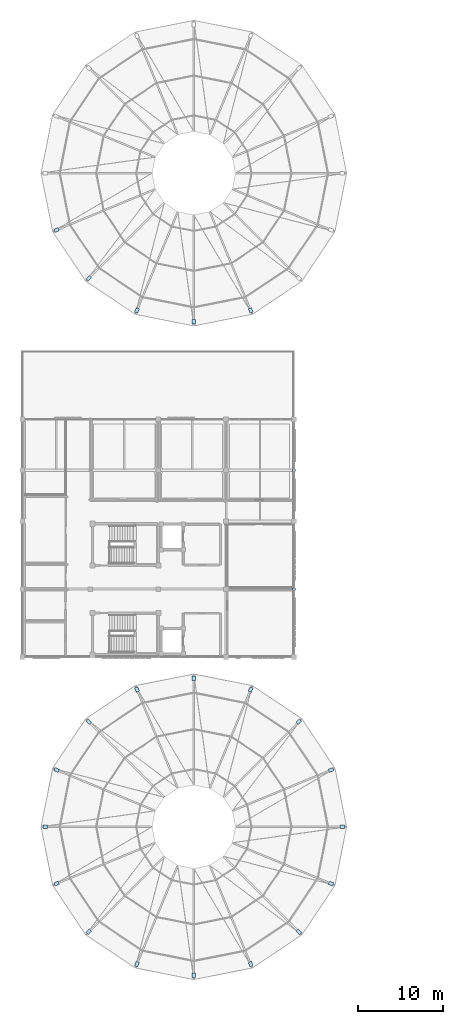
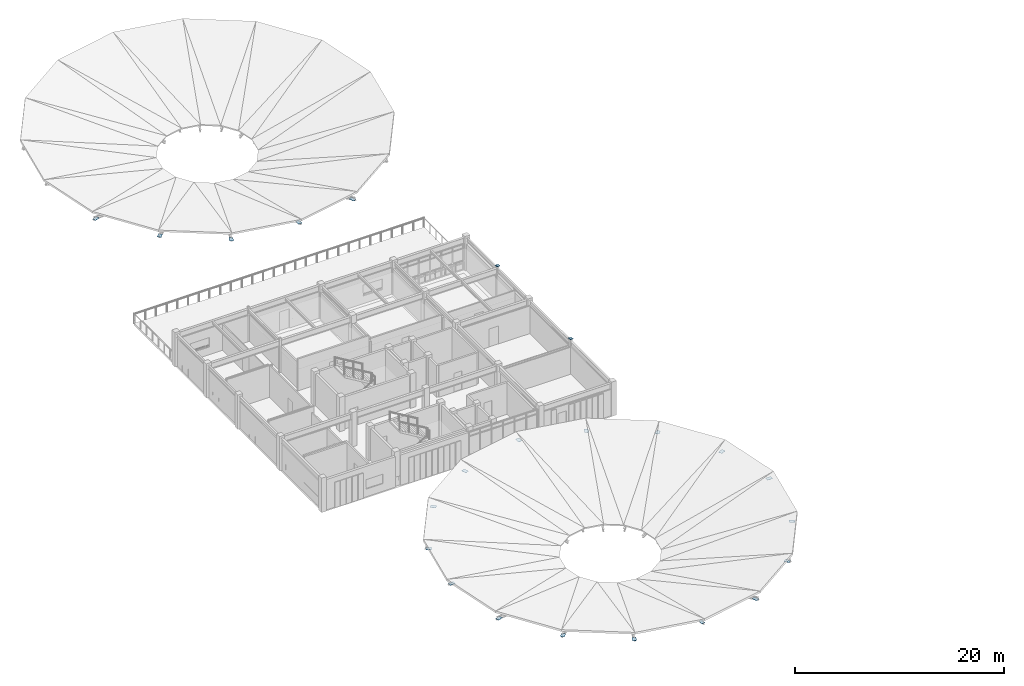
# One storey, part 23 of 31: 23 plates.
"""IFC4 building model written with IfcOpenShell, lengths in metres."""

from ifc_helpers import new_model, si_unit, direction, frame, origin, origin_2d, place, context, subcontext, project, spatial, rectangle, extrude, material, layer, layer_set, type_object, element, save


model = new_model("IFC4")

# Units and contexts
model_context = context("Model", 3, precision=1e-05, world=origin(), true_north=direction((0.0, 1.0)))
body_context = subcontext(model_context, "Body", "Model", "MODEL_VIEW")
ifc_project = project(units=[si_unit("LENGTHUNIT", "METRE"), si_unit("AREAUNIT", "SQUARE_METRE"), si_unit("VOLUMEUNIT", "CUBIC_METRE"), si_unit("PLANEANGLEUNIT", "RADIAN"), si_unit("MASSUNIT", "GRAM", prefix="KILO")], contexts=[model_context])

# Site, building, storey
site_placement = place(None, origin())
site = spatial("IfcSite", under=ifc_project, at=site_placement, CompositionType="ELEMENT")
building_placement = place(site_placement, origin())
building = spatial("IfcBuilding", under=site, at=building_placement, Name="Celadon Cloister-Ring School", CompositionType="ELEMENT")
storey_placement = place(building_placement, frame((0.0, 0.0, 16.5)))
storey = spatial("IfcBuildingStorey", under=building, at=storey_placement, Name="L04", CompositionType="ELEMENT", Elevation=16.5)

# Plates
ifc_material_1 = material(Name="Structural steel S355JR", Category="steel")
ifc_layer_1 = layer(ifc_material_1, 0.01611328125)
ifc_layer_set_1 = layer_set([ifc_layer_1], Name="Structural steel S355JR")
plate_type_1 = type_object("IfcPlateType", Name="PT-03", PredefinedType="SHEET", material=ifc_layer_set_1)
for number, where, z_axis, x_axis, name in (
    (1, (4.031982421875, 90.302978515625, 2.10791015625), (0.0, 0.0, 1.0), (-0.923879532511, -0.382683432365, 0.0), "Gusset Plate 0062"),
    (2, (7.825927734375, 84.6259765625, 2.243896484375), (0.0, 0.0, 1.0), (-0.707106781187, -0.707106781187, 0.0), "Gusset Plate 0063"),
    (3, (13.5029296875, 80.83203125, 2.10791015625), (0.0, 0.0, 1.0), (-0.382683432365, -0.923879532511, 0.0), "Gusset Plate 0064"),
    (4, (20.199951171875, 79.5, 2.571044921875), (0.0, 0.0, 1.0), (0.0, -1.0, 0.0), "Gusset Plate 0065"),
    (5, (26.89697265625, 80.83203125, 2.10791015625), (0.0, 0.0, 1.0), (0.382683432365, -0.923879532511, 0.0), "Gusset Plate 0066"),
    (6, (37.699951171875, 20.0, 2.64892578125), (0.0, 0.0, 1.0), (1.0, 0.0, 0.0), "Gusset Plate 0069"),
    (7, (36.367919921875, 26.697021484375, 2.18701171875), (0.0, 0.0, 1.0), (0.923879532511, 0.382683432365, 0.0), "Gusset Plate 0070"),
    (8, (32.573974609375, 32.3740234375, 2.322021484375), (0.0, 0.0, 1.0), (0.707106781187, 0.707106781187, 0.0), "Gusset Plate 0071"),
    (9, (26.89697265625, 36.16796875, 2.18603515625), (0.0, 0.0, 1.0), (0.382683432365, 0.923879532511, 0.0), "Gusset Plate 0072"),
    (10, (20.199951171875, 37.5, 2.64892578125), (0.0, 0.0, 1.0), (0.0, 1.0, 0.0), "Gusset Plate 0073"),
    (11, (13.5029296875, 36.16796875, 2.18701171875), (0.0, 0.0, 1.0), (-0.382683432365, 0.923879532511, 0.0), "Gusset Plate 0074"),
    (12, (7.825927734375, 32.3740234375, 2.322021484375), (0.0, 0.0, 1.0), (-0.707106781187, 0.707106781187, 0.0), "Gusset Plate 0075"),
    (13, (4.031982421875, 26.697021484375, 2.18701171875), (0.0, 0.0, 1.0), (-0.923879532511, 0.382683432365, 0.0), "Gusset Plate 0076"),
    (14, (2.699951171875, 20.0, 2.64892578125), (0.0, 0.0, 1.0), (-1.0, 0.0, 0.0), "Gusset Plate 0077"),
    (15, (4.031982421875, 13.302978515625, 2.18701171875), (0.0, 0.0, 1.0), (-0.923879532511, -0.382683432365, 0.0), "Gusset Plate 0078"),
    (16, (7.825927734375, 7.6259765625, 2.322021484375), (0.0, 0.0, 1.0), (-0.707106781187, -0.707106781187, 0.0), "Gusset Plate 0079"),
    (17, (13.5029296875, 3.83203125, 2.18603515625), (0.0, 0.0, 1.0), (-0.382683432365, -0.923879532511, 0.0), "Gusset Plate 0080"),
    (18, (20.199951171875, 2.5, 2.64892578125), (0.0, 0.0, 1.0), (0.0, -1.0, 0.0), "Gusset Plate 0081"),
    (19, (26.89697265625, 3.83203125, 2.18701171875), (0.0, 0.0, 1.0), (0.382683432365, -0.923879532511, 0.0), "Gusset Plate 0082"),
    (20, (32.573974609375, 7.6259765625, 2.322021484375), (0.0, 0.0, 1.0), (0.707106781187, -0.707106781187, 0.0), "Gusset Plate 0083"),
    (21, (36.367919921875, 13.302978515625, 2.18603515625), (0.0, 0.0, 1.0), (0.923879532511, -0.382683432365, 0.0), "Gusset Plate 0084"),
):
    element("IfcPlate", number, at=place(storey_placement, frame(where, z_axis=z_axis, x_axis=x_axis)), inside=storey, type_object=plate_type_1, Name=name, PredefinedType="SHEET", context=body_context, shape_type="SweptSolid", body=[
        extrude(rectangle(XDim=0.56005859375, YDim=0.39990234375, at=origin_2d()), origin(), (0.0, 0.0, 1.0), 0.01611328125),
    ])
ifc_material_2 = material(Name="Structural steel S355JR", Category="steel")
ifc_layer_2 = layer(ifc_material_2, 0.02197265625)
ifc_layer_set_2 = layer_set([ifc_layer_2], Name="Structural steel S355JR")
plate_type_2 = type_object("IfcPlateType", Name="PT-05", PredefinedType="SHEET", material=ifc_layer_set_2)
for number, where, z_axis, x_axis, name in (
    (22, (32.0, 48.0, 4.0), (0.0, 0.0, 1.0), (1.0, 0.0, 0.0), "Gusset Plate 0003"),
    (23, (32.0, 62.0, 4.0), (0.0, 0.0, 1.0), (1.0, 0.0, 0.0), "Gusset Plate 0004"),
):
    element("IfcPlate", number, at=place(storey_placement, frame(where, z_axis=z_axis, x_axis=x_axis)), inside=storey, type_object=plate_type_2, Name=name, PredefinedType="SHEET", context=body_context, shape_type="SweptSolid", body=[
        extrude(rectangle(XDim=0.320068359375, YDim=0.320068359375, at=origin_2d()), origin(), (0.0, 0.0, 1.0), 0.02197265625),
    ])

save(model, "model.ifc")
